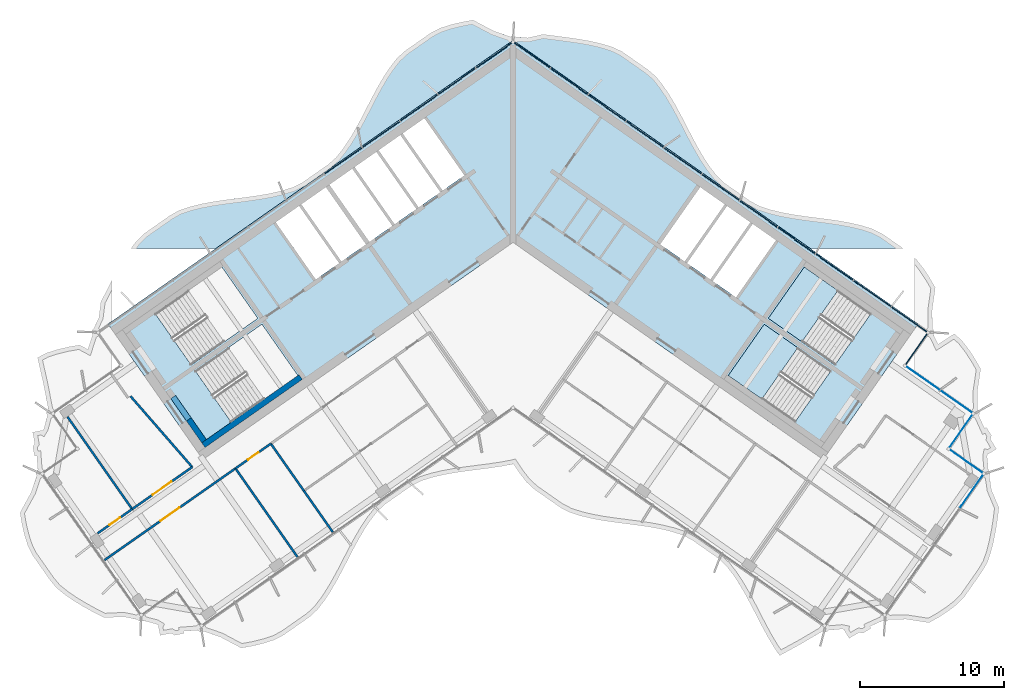
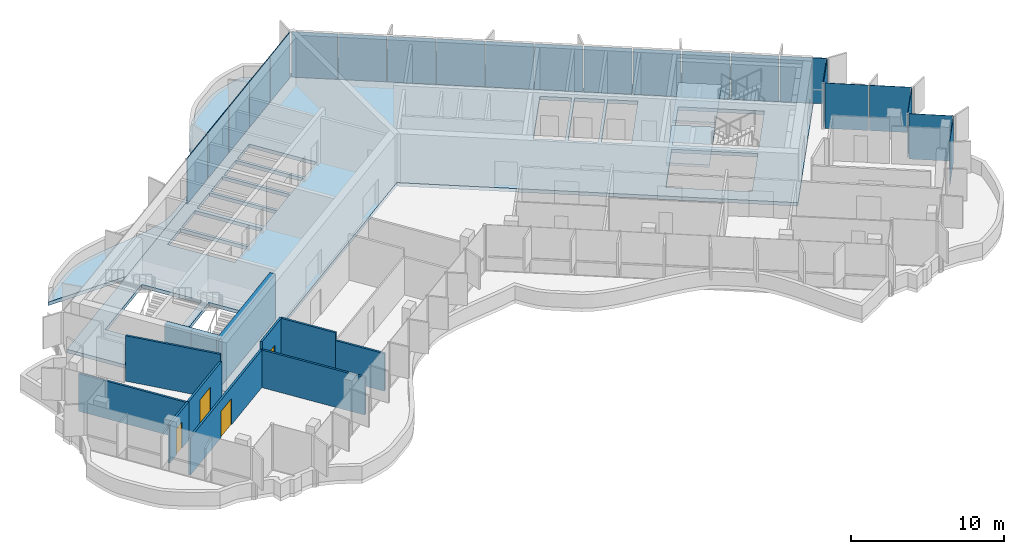
# One storey, part 10 of 20: 22 plates, 12 walls, 4 doors, 4 slabs, 4 openings, 4 elements without a shape of their own.
"""IFC4 building model written with IfcOpenShell, lengths in metres."""

import ifcopenshell
import ifcopenshell.guid

model = None  # the IFC model being written
_history = None  # IfcOwnerHistory: only IFC2X3 demands one
_inside = {}  # id of a spatial element -> (the spatial element, [elements in it])
_under = {}  # id of a project, library or spatial element -> (it, [spatial elements below it])
_declared = {}  # id of a project -> (the project, [libraries it declares])
_typed = {}  # id of a type object -> (the type object, [elements of that type])
_made_of = {}  # id of a material, layer set ... -> (it, [elements and type objects made of it])


def new_model(schema):
    """Start an empty IFC model of exactly this schema.

    Asked for "IFC4X3", IfcOpenShell would pick the latest addendum, in which some entities
    have other attributes; the version numbers below select the first issue.
    IFC2X3 requires an IfcOwnerHistory on every rooted entity: one is made here for all.
    """
    global model, _history
    if schema == "IFC4X3":
        model = ifcopenshell.file(schema_version=(4, 3, 0, 0))
    else:
        model = ifcopenshell.file(schema=schema)
    _inside.clear()
    _under.clear()
    _declared.clear()
    _typed.clear()
    _made_of.clear()
    _history = None
    if model.schema == "IFC2X3":
        org = make("IfcOrganization", Name="unknown")
        user = make(
            "IfcPersonAndOrganization",
            ThePerson=make("IfcPerson", FamilyName="unknown"),
            TheOrganization=org,
        )
        app = make(
            "IfcApplication",
            ApplicationDeveloper=org,
            Version="unknown",
            ApplicationFullName="unknown",
            ApplicationIdentifier="unknown",
        )
        _history = make(
            "IfcOwnerHistory",
            OwningUser=user,
            OwningApplication=app,
            ChangeAction="ADDED",
            CreationDate=0,
        )
    return model


def make(cls, **values):
    """One entity of the class cls with the attributes given. An attribute that is None is left unset."""
    return model.create_entity(
        cls, **{name: value for name, value in values.items() if value is not None}
    )


def rooted(cls, **values):
    """An entity with a GlobalId (a new one), such as an element, a storey or a relation."""
    return make(cls, GlobalId=ifcopenshell.guid.new(), OwnerHistory=_history, **values)


def si_unit(unit_type, name, prefix=None):
    """IfcSIUnit, for example si_unit("LENGTHUNIT", "METRE", prefix="MILLI")."""
    return make("IfcSIUnit", UnitType=unit_type, Prefix=prefix, Name=name)


def assignment(units):
    """IfcUnitAssignment: the units of a project."""
    return None if units is None else make("IfcUnitAssignment", Units=units)


def point(xyz):
    """IfcCartesianPoint."""
    return None if xyz is None else make("IfcCartesianPoint", Coordinates=xyz)


def direction(xyz):
    """IfcDirection."""
    return None if xyz is None else make("IfcDirection", DirectionRatios=xyz)


def frame(location, z_axis=None, x_axis=None):
    """IfcAxis2Placement3D, a coordinate frame: its origin and axes. An axis left out is left unset."""
    return make(
        "IfcAxis2Placement3D",
        Location=point(location),
        Axis=direction(z_axis),
        RefDirection=direction(x_axis),
    )


def frame_2d(location, x_axis=None):
    """IfcAxis2Placement2D, a coordinate frame in the plane: its origin and x axis."""
    return make(
        "IfcAxis2Placement2D", Location=point(location), RefDirection=direction(x_axis)
    )


def origin():
    """The frame at (0, 0, 0) with its axes left unset."""
    return frame((0.0, 0.0, 0.0))


def origin_2d():
    """The frame at (0, 0) in the plane with its x axis left unset."""
    return frame_2d((0.0, 0.0))


def place(relative_to, where):
    """IfcLocalPlacement: puts the frame where relative to a parent placement (None: the world)."""
    return make(
        "IfcLocalPlacement", PlacementRelTo=relative_to, RelativePlacement=where
    )


def context(
    kind, dimensions, precision=None, world=None, true_north=None, identifier=None
):
    """IfcGeometricRepresentationContext, for example the 3D "Model" context."""
    return make(
        "IfcGeometricRepresentationContext",
        ContextIdentifier=identifier,
        ContextType=kind,
        CoordinateSpaceDimension=dimensions,
        Precision=precision,
        WorldCoordinateSystem=world,
        TrueNorth=true_north,
    )


def subcontext(parent, identifier, kind, view, scale=None):
    """IfcGeometricRepresentationSubContext, for example "Body" below "Model"."""
    return make(
        "IfcGeometricRepresentationSubContext",
        ContextIdentifier=identifier,
        ContextType=kind,
        ParentContext=parent,
        TargetScale=scale,
        TargetView=view,
    )


def project(units=None, contexts=None):
    """IfcProject with its units and contexts."""
    return rooted(
        "IfcProject",
        Name="project",
        RepresentationContexts=contexts,
        UnitsInContext=assignment(units),
    )


def spatial(cls, under=None, at=None, **own):
    """A site, building, storey or space (cls), placed at a placement, below another one or the project."""
    s = rooted(cls, ObjectPlacement=at, **own)
    if under is not None:
        _under.setdefault(under.id(), (under, []))[1].append(s)
    return s


def polyline(points):
    """IfcPolyline through the points."""
    return make("IfcPolyline", Points=[point(p) for p in points])


def profile(cls, at=None, kind="AREA", **sizes):
    """A parametric profile (cls). Its sizes go by their IFC names, for example OverallWidth=200.0."""
    return make(cls, ProfileType=kind, Position=at, **sizes)


def rectangle(**sizes):
    """IfcRectangleProfileDef."""
    return profile("IfcRectangleProfileDef", **sizes)


def outline(outer, holes=None, kind="AREA"):
    """IfcArbitraryClosedProfileDef: a profile drawn as a closed curve; with holes, ...WithVoids."""
    if holes is None:
        return make("IfcArbitraryClosedProfileDef", ProfileType=kind, OuterCurve=outer)
    return make(
        "IfcArbitraryProfileDefWithVoids",
        ProfileType=kind,
        OuterCurve=outer,
        InnerCurves=holes,
    )


def extrude(swept, where, along, depth):
    """IfcExtrudedAreaSolid: the profile swept, set in the frame where, extruded along a direction by depth."""
    return make(
        "IfcExtrudedAreaSolid",
        SweptArea=swept,
        Position=where,
        ExtrudedDirection=direction(along),
        Depth=depth,
    )


def shape(context_of_items, identifier, shape_type, items):
    """IfcShapeRepresentation: the items that make up one representation, for example the "Body"."""
    return make(
        "IfcShapeRepresentation",
        ContextOfItems=context_of_items,
        RepresentationIdentifier=identifier,
        RepresentationType=shape_type,
        Items=items,
    )


def material(Name=None, Category=None):
    """IfcMaterial."""
    return make("IfcMaterial", Name=Name, Category=Category)


def layer(
    of_material, thickness, ventilated=None, Name=None, Category=None, Priority=None
):
    """IfcMaterialLayer: one layer of a wall or slab, of a material (None: an air gap)."""
    return make(
        "IfcMaterialLayer",
        Material=of_material,
        LayerThickness=thickness,
        IsVentilated=ventilated,
        Name=Name,
        Category=Category,
        Priority=Priority,
    )


def layer_set(layers, Name=None):
    """IfcMaterialLayerSet."""
    return make("IfcMaterialLayerSet", MaterialLayers=layers, LayerSetName=Name)


def made_of(thing, what):
    """Note that an element or type object is made of a material, layer set ...; save() writes the relation."""
    if what is not None:
        _made_of.setdefault(what.id(), (what, []))[1].append(thing)
    return thing


def type_object(cls, material=None, **own):
    """A type object (cls), such as IfcWallType, which elements share."""
    return made_of(rooted(cls, **own), material)


def element(
    cls,
    number,
    at=None,
    inside=None,
    cuts=None,
    type_object=None,
    material=None,
    context=None,
    identifier="Body",
    shape_type=None,
    held_by="IfcProductDefinitionShape",
    body=None,
    shapes=None,
    **own,
):
    """One element of the class cls, such as IfcWall. Its Tag is "e" and its number.

    at: its placement. inside: the storey or other place that contains it. cuts: it is an
    opening in that element (IfcRelVoidsElement). A single representation is given by context,
    identifier, shape_type and body (its items); several are given by shapes. held_by: the class
    of the entity that holds the representations. save() writes the other relations.
    """
    e = rooted(cls, Tag="e%d" % number, ObjectPlacement=at, **own)
    if body is not None:
        shapes = [shape(context, identifier, shape_type, body)]
    if shapes is not None:
        e.Representation = make(held_by, Representations=shapes)
    if inside is not None:
        _inside.setdefault(inside.id(), (inside, []))[1].append(e)
    if cuts is not None:
        rooted(
            "IfcRelVoidsElement", RelatingBuildingElement=cuts, RelatedOpeningElement=e
        )
    if type_object is not None:
        _typed.setdefault(type_object.id(), (type_object, []))[1].append(e)
    return made_of(e, material)


def fill(opening, filler):
    """IfcRelFillsElement: the door or window that sits in an opening."""
    return rooted(
        "IfcRelFillsElement",
        RelatingOpeningElement=opening,
        RelatedBuildingElement=filler,
    )


def aggregate(whole, parts):
    """IfcRelAggregates: a whole, such as a stair, and the parts it consists of."""
    return rooted("IfcRelAggregates", RelatingObject=whole, RelatedObjects=parts)


def save(model, path):
    """Write the relations noted so far, then the file.

    IfcRelAggregates (storeys below a building ...), IfcRelContainedInSpatialStructure (elements
    in a storey), IfcRelDefinesByType, IfcRelAssociatesMaterial and IfcRelDeclares: one each for
    every whole, place, type object, material and project.
    """
    for whole, parts in _under.values():
        aggregate(whole, parts)
    for where, things in _inside.values():
        rooted(
            "IfcRelContainedInSpatialStructure",
            RelatedElements=things,
            RelatingStructure=where,
        )
    for kind, things in _typed.values():
        rooted("IfcRelDefinesByType", RelatedObjects=things, RelatingType=kind)
    for what, things in _made_of.values():
        rooted("IfcRelAssociatesMaterial", RelatedObjects=things, RelatingMaterial=what)
    for by, libraries in _declared.values():
        rooted("IfcRelDeclares", RelatingContext=by, RelatedDefinitions=libraries)
    model.write(path)


model = new_model("IFC4")

# Units and contexts
model_context = context("Model", 3, precision=1e-05, world=origin(), true_north=direction((0.0, 1.0)))
body_context = subcontext(model_context, "Body", "Model", "MODEL_VIEW")
ifc_project = project(units=[si_unit("LENGTHUNIT", "METRE"), si_unit("AREAUNIT", "SQUARE_METRE"), si_unit("VOLUMEUNIT", "CUBIC_METRE"), si_unit("PLANEANGLEUNIT", "RADIAN"), si_unit("MASSUNIT", "GRAM", prefix="KILO")], contexts=[model_context])

# Site, building, storey
site_placement = place(None, origin())
site = spatial("IfcSite", under=ifc_project, at=site_placement, CompositionType="ELEMENT")
building_placement = place(site_placement, origin())
building = spatial("IfcBuilding", under=site, at=building_placement, Name="Tel Ilan Convention Tower", CompositionType="ELEMENT")
storey_placement = place(building_placement, frame((0.0, 0.0, 244.89990234375)))
storey = spatial("IfcBuildingStorey", under=building, at=storey_placement, Name="L57", CompositionType="ELEMENT", Elevation=244.89990234375)

# Curtain wall, plates
ifc_material_1 = material(Name="Aluminium, bronze anodised", Category="aluminium")
curtain_wall_type_1 = type_object("IfcCurtainWallType", Name="CW2 STICK CURTAIN WALL, SPANDREL PANELS", PredefinedType="NOTDEFINED", material=ifc_material_1)
curtain_wall_1_placement = place(storey_placement, origin())
curtain_wall_1 = element("IfcCurtainWall", 1, at=curtain_wall_1_placement, inside=storey, type_object=curtain_wall_type_1, Name="Curtain wall CW2-44.01", PredefinedType="NOTDEFINED")
ifc_material_2 = material(Name="Aluminium composite panel, bronze anodised", Category="aluminium")
ifc_layer_1 = layer(ifc_material_2, 0.06005859375)
ifc_layer_set_1 = layer_set([ifc_layer_1], Name="CW SPANDREL PANEL 60")
plate_type_1 = type_object("IfcPlateType", Name="CW SPANDREL PANEL 60", PredefinedType="CURTAIN_PANEL", material=ifc_layer_set_1)
plate_1_placement = place(storey_placement, frame((28.033935546875, -8.60546875, 0.0), z_axis=(0.0, 0.0, 1.0), x_axis=(0.573576436351, 0.819152044289, 0.0)))
plate_1 = element("IfcPlate", 2, at=plate_1_placement, type_object=plate_type_1, Name="Spandrel panel", PredefinedType="CURTAIN_PANEL", context=body_context, shape_type="SweptSolid", body=[
    extrude(rectangle(XDim=2.658935546875, YDim=0.06005859375, at=origin_2d()), origin(), (0.0, 0.0, 1.0), 3.6201171875),
])
plate_2_placement = place(storey_placement, frame((27.5400390625, -6.587646484375, 0.0), z_axis=(0.0, 0.0, 1.0), x_axis=(-0.819152044289, 0.573576436351, 0.0)))
plate_2 = element("IfcPlate", 3, at=plate_2_placement, type_object=plate_type_1, Name="Spandrel panel", PredefinedType="CURTAIN_PANEL", context=body_context, shape_type="SweptSolid", body=[
    extrude(rectangle(XDim=3.0439453125, YDim=0.06005859375, at=origin_2d()), origin(), (0.0, 0.0, 1.0), 3.6201171875),
])
plate_3_placement = place(storey_placement, frame((24.95263671875, -4.77587890625, 0.0), z_axis=(0.0, 0.0, 1.0), x_axis=(-0.819152044289, 0.573576436351, 0.0)))
plate_3 = element("IfcPlate", 4, at=plate_3_placement, type_object=plate_type_1, Name="Spandrel panel", PredefinedType="CURTAIN_PANEL", context=body_context, shape_type="SweptSolid", body=[
    extrude(rectangle(XDim=3.15380859375, YDim=0.06005859375, at=origin_2d()), origin(), (0.0, 0.0, 1.0), 3.6201171875),
])
plate_4_placement = place(storey_placement, frame((22.31982421875, -2.9326171875, 0.0), z_axis=(0.0, 0.0, 1.0), x_axis=(-0.819152044289, 0.573576436351, 0.0)))
plate_4 = element("IfcPlate", 5, at=plate_4_placement, type_object=plate_type_1, Name="Spandrel panel", PredefinedType="CURTAIN_PANEL", context=body_context, shape_type="SweptSolid", body=[
    extrude(rectangle(XDim=3.15380859375, YDim=0.06005859375, at=origin_2d()), origin(), (0.0, 0.0, 1.0), 3.6201171875),
])
plate_5_placement = place(storey_placement, frame((19.687255859375, -1.089111328125, 0.0), z_axis=(0.0, 0.0, 1.0), x_axis=(-0.819152044289, 0.573576436351, 0.0)))
plate_5 = element("IfcPlate", 6, at=plate_5_placement, type_object=plate_type_1, Name="Spandrel panel", PredefinedType="CURTAIN_PANEL", context=body_context, shape_type="SweptSolid", body=[
    extrude(rectangle(XDim=3.15380859375, YDim=0.06005859375, at=origin_2d()), origin(), (0.0, 0.0, 1.0), 3.6201171875),
])
plate_6_placement = place(storey_placement, frame((17.0546875, 0.754150390625, 0.0), z_axis=(0.0, 0.0, 1.0), x_axis=(-0.819152044289, 0.573576436351, 0.0)))
plate_6 = element("IfcPlate", 7, at=plate_6_placement, type_object=plate_type_1, Name="Spandrel panel", PredefinedType="CURTAIN_PANEL", context=body_context, shape_type="SweptSolid", body=[
    extrude(rectangle(XDim=3.15380859375, YDim=0.06005859375, at=origin_2d()), origin(), (0.0, 0.0, 1.0), 3.6201171875),
])
plate_7_placement = place(storey_placement, frame((14.422119140625, 2.59765625, 0.0), z_axis=(0.0, 0.0, 1.0), x_axis=(-0.819152044289, 0.573576436351, 0.0)))
plate_7 = element("IfcPlate", 8, at=plate_7_placement, type_object=plate_type_1, Name="Spandrel panel", PredefinedType="CURTAIN_PANEL", context=body_context, shape_type="SweptSolid", body=[
    extrude(rectangle(XDim=3.15380859375, YDim=0.06005859375, at=origin_2d()), origin(), (0.0, 0.0, 1.0), 3.6201171875),
])
plate_8_placement = place(storey_placement, frame((11.789306640625, 4.44091796875, 0.0), z_axis=(0.0, 0.0, 1.0), x_axis=(-0.819152044289, 0.573576436351, 0.0)))
plate_8 = element("IfcPlate", 9, at=plate_8_placement, type_object=plate_type_1, Name="Spandrel panel", PredefinedType="CURTAIN_PANEL", context=body_context, shape_type="SweptSolid", body=[
    extrude(rectangle(XDim=3.15380859375, YDim=0.06005859375, at=origin_2d()), origin(), (0.0, 0.0, 1.0), 3.6201171875),
])
plate_9_placement = place(storey_placement, frame((9.15673828125, 6.284423828125, 0.0), z_axis=(0.0, 0.0, 1.0), x_axis=(-0.819152044289, 0.573576436351, 0.0)))
plate_9 = element("IfcPlate", 10, at=plate_9_placement, type_object=plate_type_1, Name="Spandrel panel", PredefinedType="CURTAIN_PANEL", context=body_context, shape_type="SweptSolid", body=[
    extrude(rectangle(XDim=3.15380859375, YDim=0.06005859375, at=origin_2d()), origin(), (0.0, 0.0, 1.0), 3.6201171875),
])
plate_10_placement = place(storey_placement, frame((6.524169921875, 8.127685546875, 0.0), z_axis=(0.0, 0.0, 1.0), x_axis=(-0.819152044289, 0.573576436351, 0.0)))
plate_10 = element("IfcPlate", 11, at=plate_10_placement, type_object=plate_type_1, Name="Spandrel panel", PredefinedType="CURTAIN_PANEL", context=body_context, shape_type="SweptSolid", body=[
    extrude(rectangle(XDim=3.15380859375, YDim=0.06005859375, at=origin_2d()), origin(), (0.0, 0.0, 1.0), 3.6201171875),
])
plate_11_placement = place(storey_placement, frame((3.8916015625, 9.97119140625, 0.0), z_axis=(0.0, 0.0, 1.0), x_axis=(-0.819152044289, 0.573576436351, 0.0)))
plate_11 = element("IfcPlate", 12, at=plate_11_placement, type_object=plate_type_1, Name="Spandrel panel", PredefinedType="CURTAIN_PANEL", context=body_context, shape_type="SweptSolid", body=[
    extrude(rectangle(XDim=3.15380859375, YDim=0.06005859375, at=origin_2d()), origin(), (0.0, 0.0, 1.0), 3.6201171875),
])
plate_12_placement = place(storey_placement, frame((1.303955078125, 11.782958984375, 0.0), z_axis=(0.0, 0.0, 1.0), x_axis=(-0.819152044289, 0.573576436351, 0.0)))
plate_12 = element("IfcPlate", 13, at=plate_12_placement, type_object=plate_type_1, Name="Spandrel panel", PredefinedType="CURTAIN_PANEL", context=body_context, shape_type="SweptSolid", body=[
    extrude(rectangle(XDim=3.0439453125, YDim=0.06005859375, at=origin_2d()), origin(), (0.0, 0.0, 1.0), 3.6201171875),
])
plate_13_placement = place(storey_placement, frame((-1.303955078125, 11.782958984375, 0.0), z_axis=(0.0, 0.0, 1.0), x_axis=(-0.819152044289, -0.573576436351, 0.0)))
plate_13 = element("IfcPlate", 14, at=plate_13_placement, type_object=plate_type_1, Name="Spandrel panel", PredefinedType="CURTAIN_PANEL", context=body_context, shape_type="SweptSolid", body=[
    extrude(rectangle(XDim=3.0439453125, YDim=0.06005859375, at=origin_2d()), origin(), (0.0, 0.0, 1.0), 3.6201171875),
])
plate_14_placement = place(storey_placement, frame((-3.8916015625, 9.97119140625, 0.0), z_axis=(0.0, 0.0, 1.0), x_axis=(-0.819152044289, -0.573576436351, 0.0)))
plate_14 = element("IfcPlate", 15, at=plate_14_placement, type_object=plate_type_1, Name="Spandrel panel", PredefinedType="CURTAIN_PANEL", context=body_context, shape_type="SweptSolid", body=[
    extrude(rectangle(XDim=3.15380859375, YDim=0.06005859375, at=origin_2d()), origin(), (0.0, 0.0, 1.0), 3.6201171875),
])
plate_15_placement = place(storey_placement, frame((-6.524169921875, 8.127685546875, 0.0), z_axis=(0.0, 0.0, 1.0), x_axis=(-0.819152044289, -0.573576436351, 0.0)))
plate_15 = element("IfcPlate", 16, at=plate_15_placement, type_object=plate_type_1, Name="Spandrel panel", PredefinedType="CURTAIN_PANEL", context=body_context, shape_type="SweptSolid", body=[
    extrude(rectangle(XDim=3.15380859375, YDim=0.06005859375, at=origin_2d()), origin(), (0.0, 0.0, 1.0), 3.6201171875),
])
plate_16_placement = place(storey_placement, frame((-9.15673828125, 6.284423828125, 0.0), z_axis=(0.0, 0.0, 1.0), x_axis=(-0.819152044289, -0.573576436351, 0.0)))
plate_16 = element("IfcPlate", 17, at=plate_16_placement, type_object=plate_type_1, Name="Spandrel panel", PredefinedType="CURTAIN_PANEL", context=body_context, shape_type="SweptSolid", body=[
    extrude(rectangle(XDim=3.15380859375, YDim=0.06005859375, at=origin_2d()), origin(), (0.0, 0.0, 1.0), 3.6201171875),
])
plate_17_placement = place(storey_placement, frame((-11.789306640625, 4.44091796875, 0.0), z_axis=(0.0, 0.0, 1.0), x_axis=(-0.819152044289, -0.573576436351, 0.0)))
plate_17 = element("IfcPlate", 18, at=plate_17_placement, type_object=plate_type_1, Name="Spandrel panel", PredefinedType="CURTAIN_PANEL", context=body_context, shape_type="SweptSolid", body=[
    extrude(rectangle(XDim=3.15380859375, YDim=0.06005859375, at=origin_2d()), origin(), (0.0, 0.0, 1.0), 3.6201171875),
])
aggregate(curtain_wall_1, [plate_1, plate_2, plate_3, plate_4, plate_5, plate_6, plate_7, plate_8, plate_9, plate_10, plate_11, plate_12, plate_13, plate_14, plate_15, plate_16, plate_17])

ifc_material_3 = material(Name="Aluminium, bronze anodised", Category="aluminium")
curtain_wall_type_2 = type_object("IfcCurtainWallType", Name="CW5 STICK CURTAIN WALL, UPPER OFFICE LOW-IRON TINTED GLASS", PredefinedType="NOTDEFINED", material=ifc_material_3)
curtain_wall_2_placement = place(storey_placement, origin())
curtain_wall_2 = element("IfcCurtainWall", 19, at=curtain_wall_2_placement, inside=storey, type_object=curtain_wall_type_2, Name="Curtain wall CW5-44.02", PredefinedType="NOTDEFINED")
ifc_material_4 = material(Name="Glass, low-iron bronze tinted, two-ply", Category="glass")
ifc_layer_2 = layer(ifc_material_4, 0.031982421875)
ifc_layer_set_2 = layer_set([ifc_layer_2], Name="CW UPPER GLASS PANEL 32")
plate_type_2 = type_object("IfcPlateType", Name="CW UPPER GLASS PANEL 32", PredefinedType="CURTAIN_PANEL", material=ifc_layer_set_2)
plate_18_placement = place(storey_placement, frame((31.85693359375, -18.488037109375, 0.0), z_axis=(0.0, 0.0, 1.0), x_axis=(0.573576436351, 0.819152044289, 0.0)))
plate_18 = element("IfcPlate", 20, at=plate_18_placement, type_object=plate_type_2, Name="Glass panel", PredefinedType="CURTAIN_PANEL", context=body_context, shape_type="SweptSolid", body=[
    extrude(rectangle(XDim=2.89599609375, YDim=0.028076171875, at=origin_2d()), origin(), (0.0, 0.0, 1.0), 3.6201171875),
])
plate_19_placement = place(storey_placement, frame((31.504150390625, -16.44384765625, 0.0), z_axis=(0.0, 0.0, 1.0), x_axis=(-0.819152044289, 0.573576436351, 0.0)))
plate_19 = element("IfcPlate", 21, at=plate_19_placement, type_object=plate_type_2, Name="Glass panel", PredefinedType="CURTAIN_PANEL", context=body_context, shape_type="SweptSolid", body=[
    extrude(rectangle(XDim=2.875, YDim=0.028076171875, at=origin_2d()), origin(), (0.0, 0.0, 1.0), 3.6201171875),
])
plate_20_placement = place(storey_placement, frame((31.126220703125, -14.30126953125, 0.0), z_axis=(0.0, 0.0, 1.0), x_axis=(0.573576436351, 0.819152044289, 0.0)))
plate_20 = element("IfcPlate", 22, at=plate_20_placement, type_object=plate_type_2, Name="Glass panel", PredefinedType="CURTAIN_PANEL", context=body_context, shape_type="SweptSolid", body=[
    extrude(rectangle(XDim=2.875, YDim=0.028076171875, at=origin_2d()), origin(), (0.0, 0.0, 1.0), 3.6201171875),
])
plate_21_placement = place(storey_placement, frame((30.8203125, -12.302734375, 0.0), z_axis=(0.0, 0.0, 1.0), x_axis=(-0.819152044289, 0.573576436351, 0.0)))
plate_21 = element("IfcPlate", 23, at=plate_21_placement, type_object=plate_type_2, Name="Glass panel", PredefinedType="CURTAIN_PANEL", context=body_context, shape_type="SweptSolid", body=[
    extrude(rectangle(XDim=2.74609375, YDim=0.028076171875, at=origin_2d()), origin(), (0.0, 0.0, 1.0), 3.6201171875),
])
plate_22_placement = place(storey_placement, frame((28.471435546875, -10.657958984375, 0.0), z_axis=(0.0, 0.0, 1.0), x_axis=(-0.819152044289, 0.573576436351, 0.0)))
plate_22 = element("IfcPlate", 24, at=plate_22_placement, type_object=plate_type_2, Name="Glass panel", PredefinedType="CURTAIN_PANEL", context=body_context, shape_type="SweptSolid", body=[
    extrude(rectangle(XDim=2.868896484375, YDim=0.028076171875, at=origin_2d()), origin(), (0.0, 0.0, 1.0), 3.6201171875),
])
aggregate(curtain_wall_2, [plate_18, plate_19, plate_20, plate_21, plate_22])

# Stair, slab
ifc_material_5 = material(Name="Concrete C40/50", Category="concrete")
stair_type = type_object("IfcStairType", Name="Pressurised Exit Stair 22 risers 177 mm", PredefinedType="HALF_TURN_STAIR", material=ifc_material_5)
stair_1_placement = place(storey_placement, origin())
stair_1 = element("IfcStair", 25, at=stair_1_placement, inside=storey, type_object=stair_type, Name="L57 Pressurised Stair S3", PredefinedType="HALF_TURN_STAIR")
ifc_material_6 = material(Name="Concrete C40/50", Category="concrete")
ifc_layer_3 = layer(ifc_material_6, 0.199951171875)
ifc_layer_set_3 = layer_set([ifc_layer_3], Name="Concrete Stair Landing 200 mm C40/50")
slab_type_1 = type_object("IfcSlabType", Name="Concrete Stair Landing 200 mm", PredefinedType="LANDING", material=ifc_layer_set_3)
slab_1_placement = place(storey_placement, frame((0.0, 0.0, 1.75)))
slab_1 = element("IfcSlab", 26, at=slab_1_placement, type_object=slab_type_1, Name="S3 landing 1", PredefinedType="LANDING", context=body_context, shape_type="SweptSolid", body=[
    extrude(outline(polyline([(22.561767578125, -4.566650390625), (20.226318359375, -2.931640625), (17.7314453125, -6.494873046875), (20.066650390625, -8.130126953125), (22.561767578125, -4.566650390625)])), origin(), (0.0, 0.0, 1.0), 0.2001953125),
])
aggregate(stair_1, [slab_1])

stair_2_placement = place(storey_placement, origin())
stair_2 = element("IfcStair", 27, at=stair_2_placement, inside=storey, type_object=stair_type, Name="L57 Pressurised Stair S4", PredefinedType="HALF_TURN_STAIR")
slab_2_placement = place(storey_placement, frame((0.0, 0.0, 1.75)))
slab_2 = element("IfcSlab", 28, at=slab_2_placement, type_object=slab_type_1, Name="S4 landing 1", PredefinedType="LANDING", context=body_context, shape_type="SweptSolid", body=[
    extrude(outline(polyline([(19.77978515625, -8.53955078125), (17.444580078125, -6.904541015625), (14.949462890625, -10.4677734375), (17.28466796875, -12.10302734375), (19.77978515625, -8.53955078125)])), origin(), (0.0, 0.0, 1.0), 0.2001953125),
])
aggregate(stair_2, [slab_2])

# Slabs
ifc_material_7 = material(Name="Concrete C40/50", Category="concrete")
ifc_layer_4 = layer(ifc_material_7, 0.280029296875)
ifc_layer_set_4 = layer_set([ifc_layer_4], Name="Core Floor Slab 280 mm C40/50")
slab_type_2 = type_object("IfcSlabType", Name="Core Floor Slab 280 mm C40/50", PredefinedType="FLOOR", material=ifc_layer_set_4)
slab_3_placement = place(storey_placement, frame((0.0, 0.0, -0.27978515625)))
element("IfcSlab", 29, at=slab_3_placement, inside=storey, type_object=slab_type_2, Name="L57 core floor 1", PredefinedType="FLOOR", context=body_context, shape_type="SweptSolid", body=[
    extrude(outline(polyline([(-28.1396484375, -6.885498046875), (0.0, 12.818115234375), (28.1396484375, -6.885498046875), (21.54345703125, -16.3056640625), (0.0, -1.220703125), (-21.54345703125, -16.3056640625), (-28.1396484375, -6.885498046875)]), holes=[polyline([(-17.444580078125, -6.904541015625), (-22.072021484375, -10.144775390625), (-19.5771484375, -13.7080078125), (-14.949462890625, -10.4677734375), (-17.444580078125, -6.904541015625)]), polyline([(-17.7314453125, -6.494873046875), (-20.226318359375, -2.931640625), (-24.85400390625, -6.171875), (-22.35888671875, -9.735107421875), (-17.7314453125, -6.494873046875)]), polyline([(-14.864990234375, 1.310791015625), (-16.48291015625, 0.177978515625), (-13.701171875, -3.794921875), (-12.083251953125, -2.662109375), (-14.864990234375, 1.310791015625)]), polyline([(-14.701416015625, 1.425537109375), (-11.91943359375, -2.54736328125), (-10.2197265625, -1.357421875), (-13.001708984375, 2.615478515625), (-14.701416015625, 1.425537109375)]), polyline([(-11.168701171875, 3.89892578125), (-12.755859375, 2.78759765625), (-9.97412109375, -1.185302734375), (-8.386962890625, -0.073974609375), (-11.168701171875, 3.89892578125)]), polyline([(-9.499755859375, 5.067626953125), (-11.0048828125, 4.013671875), (-8.222900390625, 0.040771484375), (-6.718017578125, 1.0947265625), (-9.499755859375, 5.067626953125)]), polyline([(-9.3359375, 5.182373046875), (-6.553955078125, 1.20947265625), (-5.048828125, 2.263427734375), (-7.830810546875, 6.236328125), (-9.3359375, 5.182373046875)]), polyline([(17.444580078125, -6.904541015625), (14.949462890625, -10.4677734375), (19.5771484375, -13.7080078125), (22.072021484375, -10.144775390625), (17.444580078125, -6.904541015625)]), polyline([(20.226318359375, -2.931640625), (17.7314453125, -6.494873046875), (22.35888671875, -9.735107421875), (24.85400390625, -6.171875), (20.226318359375, -2.931640625)]), polyline([(15.48291015625, -5.04248046875), (18.2646484375, -1.069580078125), (16.646728515625, 0.063232421875), (13.864990234375, -3.90966796875), (15.48291015625, -5.04248046875)]), polyline([(13.701171875, -3.794921875), (16.48291015625, 0.177978515625), (14.864990234375, 1.310791015625), (12.083251953125, -2.662109375), (13.701171875, -3.794921875)]), polyline([(11.91943359375, -2.54736328125), (14.701416015625, 1.425537109375), (13.001708984375, 2.615478515625), (10.2197265625, -1.357421875), (11.91943359375, -2.54736328125)]), polyline([(-6.16162109375, 7.405029296875), (-7.666748046875, 6.35107421875), (-4.885009765625, 2.378173828125), (-3.3798828125, 3.43212890625), (-6.16162109375, 7.405029296875)])]), origin(), (0.0, 0.0, 1.0), 0.27978515625),
])
ifc_material_8 = material(Name="Concrete C40/50", Category="concrete")
ifc_layer_5 = layer(ifc_material_8, 0.280029296875)
ifc_layer_set_5 = layer_set([ifc_layer_5], Name="Edge Ledge Slab 280 mm C40/50")
slab_type_3 = type_object("IfcSlabType", Name="Edge Ledge Slab 280 mm C40/50", PredefinedType="FLOOR", material=ifc_layer_set_5)
slab_4_placement = place(storey_placement, frame((0.0, 0.0, -0.27978515625)))
element("IfcSlab", 30, at=slab_4_placement, inside=storey, type_object=slab_type_3, Name="L57 edge ledge 2", PredefinedType="FLOOR", context=body_context, shape_type="SweptSolid", body=[
    extrude(outline(polyline([(-23.1982421875, 1.006591796875), (-22.4697265625, 1.250244140625), (-21.705322265625, 1.44287109375), (-20.91259765625, 1.594482421875), (-20.099365234375, 1.71728515625), (-19.275146484375, 1.824462890625), (-18.44970703125, 1.9296875), (-17.6328125, 2.047119140625), (-16.833984375, 2.18994140625), (-16.0615234375, 2.37109375), (-15.3232421875, 2.6005859375), (-14.651611328125, 2.92529296875), (-12.841552734375, 4.192626953125), (-12.284912109375, 4.681640625), (-11.809326171875, 5.28662109375), (-11.369140625, 5.94189453125), (-10.956787109375, 6.63720703125), (-10.564453125, 7.36083984375), (-10.182373046875, 8.09912109375), (-9.80078125, 8.83837890625), (-9.410400390625, 9.564697265625), (-9.001220703125, 10.264404296875), (-8.56494140625, 10.925537109375), (-8.094482421875, 11.53759765625), (-7.552001953125, 12.047119140625), (-5.7421875, 13.314208984375), (-5.0849609375, 13.66015625), (-4.3515625, 13.896484375), (-3.5830078125, 14.083251953125), (-2.785888671875, 14.228515625), (-1.357666015625, 13.472900390625), (-0.172119140625, 13.06396484375), (-0.168701171875, 13.05908203125), (-0.11474609375, 13.09521484375), (0.0, 13.1181640625), (0.11474609375, 13.09521484375), (0.168701171875, 13.05908203125), (0.172119140625, 13.06396484375), (1.02001953125, 12.99072265625), (2.08935546875, 13.234130859375), (2.913818359375, 13.12744140625), (3.739501953125, 13.0224609375), (4.55712890625, 12.90625), (5.357666015625, 12.765380859375), (6.132080078125, 12.587158203125), (6.872802734375, 12.361083984375), (7.552001953125, 12.047119140625), (9.36181640625, 10.77978515625), (9.925537109375, 10.300537109375), (10.403564453125, 9.69921875), (10.845947265625, 9.046875), (11.259521484375, 8.353515625), (11.653076171875, 7.631591796875), (12.035400390625, 6.893798828125), (12.416748046875, 6.154052734375), (12.806396484375, 5.426513671875), (13.214111328125, 4.724609375), (13.648193359375, 4.060791015625), (14.116455078125, 3.4453125), (14.651611328125, 2.92529296875), (15.2548828125, 2.502685546875), (16.46142578125, 1.657958984375), (17.111328125, 1.30224609375), (17.84228515625, 1.062255859375), (18.60888671875, 0.87255859375), (19.4033203125, 0.72314453125), (20.21728515625, 0.601806640625), (21.0419921875, 0.495361328125), (21.8671875, 0.3896484375), (22.68310546875, 0.27099609375), (23.480712890625, 0.1259765625), (24.2509765625, -0.057861328125), (24.987060546875, -0.290771484375), (25.6513671875, -0.626220703125), (27.087158203125, -1.631591796875), (20.63623046875, -1.631591796875), (0.0, 12.818115234375), (-20.63623046875, -1.631591796875), (-26.535888671875, -1.631591796875), (-26.1787109375, -1.156982421875), (-25.6513671875, -0.626220703125), (-23.84130859375, 0.64111328125), (-23.1982421875, 1.006591796875)])), origin(), (0.0, 0.0, 1.0), 0.27978515625),
])

# Wall, opening, door
ifc_material_9 = material(Name="Plasterboard on Steel Studs", Category="steel")
ifc_layer_6 = layer(ifc_material_9, 0.14990234375)
ifc_layer_set_6 = layer_set([ifc_layer_6], Name="Fire-rated Partition 150 EI 60")
wall_type_1 = type_object("IfcWallType", Name="Fire-rated Partition 150 EI 60", PredefinedType="PARTITIONING", material=ifc_layer_set_6)
wall_1_placement = place(storey_placement, frame((-26.45947265625, -19.748779296875, 0.0), z_axis=(0.0, 0.0, 1.0), x_axis=(0.819139678325, 0.573594096373, 0.0)))
wall_1 = element("IfcWall", 31, at=wall_1_placement, inside=storey, type_object=wall_type_1, Name="Partition 006", PredefinedType="PARTITIONING", context=body_context, shape_type="SweptSolid", body=[
    extrude(rectangle(XDim=5.0986328125, YDim=0.14990234375, at=frame_2d((2.54931640625, 0.0))), origin(), (0.0, 0.0, 1.0), 3.050048828125),
])
opening_1_placement = place(wall_1_placement, frame((1.749267578125, 0.0, 0.0)))
opening_1 = element("IfcOpeningElement", 32, at=opening_1_placement, cuts=wall_1, Name="Opening L57-006", PredefinedType="OPENING", context=body_context, shape_type="SweptSolid", body=[
    extrude(rectangle(XDim=1.60009765625, YDim=2.10009765625, at=frame_2d((0.800048828125, 1.050048828125))), frame((0.0, 0.0849609375, 0.0), z_axis=(0.0, -1.0, 0.0), x_axis=(1.0, 0.0, 0.0)), (0.0, 0.0, 1.0), 0.169921875),
])
ifc_material_10 = material(Name="Timber Door Leaf in Steel Frame", Category="steel")
door_type_1 = type_object("IfcDoorType", Name="Tenant Suite Entrance Fire Door 1600x2100", OperationType="NOTDEFINED", PredefinedType="DOOR", material=ifc_material_10)
door_1_placement = place(opening_1_placement, origin())
door_1 = element("IfcDoor", 33, at=door_1_placement, inside=storey, type_object=door_type_1, Name="Door L57-006", OperationType="DOUBLE_DOOR_SINGLE_SWING", OverallHeight=2.10009765625, OverallWidth=1.60009765625, PredefinedType="DOOR", context=body_context, shape_type="SweptSolid", body=[
    extrude(rectangle(XDim=1.60009765625, YDim=2.10009765625, at=frame_2d((0.800048828125, 1.050048828125))), frame((0.0, 0.02490234375, 0.0), z_axis=(0.0, -1.0, 0.0), x_axis=(1.0, 0.0, 0.0)), (0.0, 0.0, 1.0), 0.050048828125),
])
fill(opening_1, door_1)

wall_2_placement = place(storey_placement, frame((-28.858154296875, -21.428466796875, 0.0), z_axis=(0.0, 0.0, 1.0), x_axis=(0.819149757547, 0.573579702143, 0.0)))
wall_2 = element("IfcWall", 34, at=wall_2_placement, inside=storey, type_object=wall_type_1, Name="Partition 007", PredefinedType="PARTITIONING", context=body_context, shape_type="SweptSolid", body=[
    extrude(rectangle(XDim=2.931884765625, YDim=0.14990234375, at=frame_2d((1.4658203125, 0.0))), origin(), (0.0, 0.0, 1.0), 3.050048828125),
])
opening_2_placement = place(wall_2_placement, frame((1.015869140625, 0.0, 0.0)))
opening_2 = element("IfcOpeningElement", 35, at=opening_2_placement, cuts=wall_2, Name="Opening L57-007", PredefinedType="OPENING", context=body_context, shape_type="SweptSolid", body=[
    extrude(rectangle(XDim=0.89990234375, YDim=2.10009765625, at=frame_2d((0.449951171875, 1.050048828125))), frame((0.0, 0.0849609375, 0.0), z_axis=(0.0, -1.0, 0.0), x_axis=(1.0, 0.0, 0.0)), (0.0, 0.0, 1.0), 0.169921875),
])
ifc_material_11 = material(Name="Timber Door Leaf in Steel Frame", Category="steel")
door_type_2 = type_object("IfcDoorType", Name="Room Fire Door 900x2100", OperationType="NOTDEFINED", PredefinedType="DOOR", material=ifc_material_11)
door_2_placement = place(opening_2_placement, origin())
door_2 = element("IfcDoor", 36, at=door_2_placement, inside=storey, type_object=door_type_2, Name="Door L57-007", OperationType="SINGLE_SWING_RIGHT", OverallHeight=2.10009765625, OverallWidth=0.89990234375, PredefinedType="DOOR", context=body_context, shape_type="SweptSolid", body=[
    extrude(rectangle(XDim=0.89990234375, YDim=2.10009765625, at=frame_2d((0.449951171875, 1.050048828125))), frame((0.0, 0.02490234375, 0.0), z_axis=(0.0, -1.0, 0.0), x_axis=(1.0, 0.0, 0.0)), (0.0, 0.0, 1.0), 0.050048828125),
])
fill(opening_2, door_2)

wall_3_placement = place(storey_placement, frame((-16.8232421875, -15.197998046875, 0.0), z_axis=(0.0, 0.0, 1.0), x_axis=(-0.81916700466, -0.573555070134, 0.0)))
wall_3 = element("IfcWall", 37, at=wall_3_placement, inside=storey, type_object=wall_type_1, Name="Partition 010", PredefinedType="PARTITIONING", context=body_context, shape_type="SweptSolid", body=[
    extrude(rectangle(XDim=3.00390625, YDim=0.14990234375, at=frame_2d((1.501953125, 0.0))), origin(), (0.0, 0.0, 1.0), 3.6201171875),
])
opening_3_placement = place(wall_3_placement, frame((1.052001953125, 0.0, 0.0)))
opening_3 = element("IfcOpeningElement", 38, at=opening_3_placement, cuts=wall_3, Name="Opening L57-004", PredefinedType="OPENING", context=body_context, shape_type="SweptSolid", body=[
    extrude(rectangle(XDim=0.89990234375, YDim=2.10009765625, at=frame_2d((0.449951171875, 1.050048828125))), frame((0.0, 0.0849609375, 0.0), z_axis=(0.0, -1.0, 0.0), x_axis=(1.0, 0.0, 0.0)), (0.0, 0.0, 1.0), 0.169921875),
])
door_3_placement = place(opening_3_placement, origin())
door_3 = element("IfcDoor", 39, at=door_3_placement, inside=storey, type_object=door_type_2, Name="Door L57-004", OperationType="SINGLE_SWING_LEFT", OverallHeight=2.10009765625, OverallWidth=0.89990234375, PredefinedType="DOOR", context=body_context, shape_type="SweptSolid", body=[
    extrude(rectangle(XDim=0.89990234375, YDim=2.10009765625, at=frame_2d((0.449951171875, 1.050048828125))), frame((0.0, 0.02490234375, 0.0), z_axis=(0.0, -1.0, 0.0), x_axis=(1.0, 0.0, 0.0)), (0.0, 0.0, 1.0), 0.050048828125),
])
fill(opening_3, door_3)

wall_4_placement = place(storey_placement, frame((-19.28076171875, -16.918701171875, 0.0), z_axis=(0.0, 0.0, 1.0), x_axis=(-0.819149262835, -0.573580408658, 0.0)))
wall_4 = element("IfcWall", 40, at=wall_4_placement, inside=storey, type_object=wall_type_1, Name="Partition 011", PredefinedType="PARTITIONING", context=body_context, shape_type="SweptSolid", body=[
    extrude(rectangle(XDim=11.10205078125, YDim=0.14990234375, at=frame_2d((5.551025390625, 0.0))), origin(), (0.0, 0.0, 1.0), 3.0),
])
opening_4_placement = place(wall_4_placement, frame((4.7509765625, 0.0, 0.0)))
opening_4 = element("IfcOpeningElement", 41, at=opening_4_placement, cuts=wall_4, Name="Opening L57-005", PredefinedType="OPENING", context=body_context, shape_type="SweptSolid", body=[
    extrude(rectangle(XDim=1.60009765625, YDim=2.10009765625, at=frame_2d((0.800048828125, 1.050048828125))), frame((0.0, 0.0849609375, 0.0), z_axis=(0.0, -1.0, 0.0), x_axis=(1.0, 0.0, 0.0)), (0.0, 0.0, 1.0), 0.169921875),
])
door_4_placement = place(opening_4_placement, origin())
door_4 = element("IfcDoor", 42, at=door_4_placement, inside=storey, type_object=door_type_1, Name="Door L57-005", OperationType="DOUBLE_DOOR_SINGLE_SWING", OverallHeight=2.10009765625, OverallWidth=1.60009765625, PredefinedType="DOOR", context=body_context, shape_type="SweptSolid", body=[
    extrude(rectangle(XDim=1.60009765625, YDim=2.10009765625, at=frame_2d((0.800048828125, 1.050048828125))), frame((0.0, 0.02490234375, 0.0), z_axis=(0.0, -1.0, 0.0), x_axis=(1.0, 0.0, 0.0)), (0.0, 0.0, 1.0), 0.050048828125),
])
fill(opening_4, door_4)

# Walls
wall_5_placement = place(storey_placement, frame((-22.28369140625, -16.826416015625, 0.0), z_axis=(0.0, 0.0, 1.0), x_axis=(-0.656758142177, 0.754101281449, 0.0)))
element("IfcWall", 43, at=wall_5_placement, inside=storey, type_object=wall_type_1, Name="Partition 031", PredefinedType="PARTITIONING", context=body_context, shape_type="SweptSolid", body=[
    extrude(rectangle(XDim=6.53857421875, YDim=0.14990234375, at=frame_2d((3.269287109375, 0.0))), origin(), (0.0, 0.0, 1.0), 3.6201171875),
])
wall_6_placement = place(storey_placement, frame((-26.45849609375, -19.747314453125, 0.0), z_axis=(0.0, 0.0, 1.0), x_axis=(-0.573558601227, 0.819164532288, 0.0)))
element("IfcWall", 44, at=wall_6_placement, inside=storey, type_object=wall_type_1, Name="Partition 032", PredefinedType="PARTITIONING", context=body_context, shape_type="SweptSolid", body=[
    extrude(rectangle(XDim=7.830078125, YDim=0.14990234375, at=frame_2d((3.9150390625, 0.0))), origin(), (0.0, 0.0, 1.0), 3.0),
])
wall_7_placement = place(storey_placement, frame((-12.523193359375, -21.3427734375, 0.0), z_axis=(0.0, 0.0, 1.0), x_axis=(-0.573555999232, 0.819166354134, 0.0)))
element("IfcWall", 45, at=wall_7_placement, inside=storey, type_object=wall_type_1, Name="Partition 036", PredefinedType="PARTITIONING", context=body_context, shape_type="SweptSolid", body=[
    extrude(rectangle(XDim=3.4990234375, YDim=0.14990234375, at=frame_2d((1.74951171875, 0.0))), origin(), (0.0, 0.0, 1.0), 3.0),
])
wall_8_placement = place(storey_placement, frame((-14.530517578125, -18.4755859375, 0.0), z_axis=(0.0, 0.0, 1.0), x_axis=(-0.573626190743, 0.819117203636, 0.0)))
element("IfcWall", 46, at=wall_8_placement, inside=storey, type_object=wall_type_1, Name="Partition 037", PredefinedType="PARTITIONING", context=body_context, shape_type="SweptSolid", body=[
    extrude(rectangle(XDim=3.999755859375, YDim=0.14990234375, at=frame_2d((2.0, 0.0))), origin(), (0.0, 0.0, 1.0), 3.6201171875),
])
wall_9_placement = place(storey_placement, frame((-14.98046875, -23.0634765625, 0.0), z_axis=(0.0, 0.0, 1.0), x_axis=(-0.573597787563, 0.819137093595, 0.0)))
element("IfcWall", 47, at=wall_9_placement, inside=storey, type_object=wall_type_1, Name="Partition 038", PredefinedType="PARTITIONING", context=body_context, shape_type="SweptSolid", body=[
    extrude(rectangle(XDim=7.5, YDim=0.14990234375, at=frame_2d((3.75, 0.0))), origin(), (0.0, 0.0, 1.0), 3.0),
])
ifc_material_12 = material(Name="Concrete C30/37", Category="concrete")
ifc_layer_7 = layer(ifc_material_12, 0.39990234375)
ifc_layer_set_7 = layer_set([ifc_layer_7], Name="Stair and Shaft Lining Wall 400 mm C30/37")
wall_type_2 = type_object("IfcWallType", Name="Stair and Shaft Lining Wall 400 mm C30/37", PredefinedType="SOLIDWALL", material=ifc_layer_set_7)
wall_10_placement = place(storey_placement, frame((-14.7529296875, -10.57421875, 0.0), z_axis=(0.0, 0.0, 1.0), x_axis=(-0.819158229677, -0.573567602601, 0.0)))
element("IfcWall", 48, at=wall_10_placement, inside=storey, type_object=wall_type_2, Name="L57 core wall lining-S2-t0", PredefinedType="SOLIDWALL", context=body_context, shape_type="SweptSolid", body=[
    extrude(rectangle(XDim=8.25, YDim=0.39990234375, at=frame_2d((4.125, 0.0))), origin(), (0.0, 0.0, 1.0), 3.6201171875),
])
wall_11_placement = place(storey_placement, frame((-21.4619140625, -15.027587890625, 0.0), z_axis=(0.0, 0.0, 1.0), x_axis=(-0.573559770908, 0.819163713305, 0.0)))
element("IfcWall", 49, at=wall_11_placement, inside=storey, type_object=wall_type_2, Name="L57 core wall lining-S2-u1-0", PredefinedType="SOLIDWALL", context=body_context, shape_type="SweptSolid", body=[
    extrude(rectangle(XDim=1.849853515625, YDim=0.39990234375, at=frame_2d((0.9248046875, 0.0))), origin(), (0.0, 0.0, 1.0), 3.6201171875),
])
wall_12_placement = place(storey_placement, frame((-22.52294921875, -13.51220703125, 2.150146484375), z_axis=(0.0, 0.0, 1.0), x_axis=(-0.573591692345, 0.819141361715, 0.0)))
element("IfcWall", 50, at=wall_12_placement, inside=storey, type_object=wall_type_2, Name="L57 core wall lining-S2-u1-lintel", PredefinedType="SOLIDWALL", context=body_context, shape_type="SweptSolid", body=[
    extrude(rectangle(XDim=1.900146484375, YDim=0.39990234375, at=frame_2d((0.9501953125, 0.0))), origin(), (0.0, 0.0, 1.0), 1.469970703125),
])

save(model, "model.ifc")
